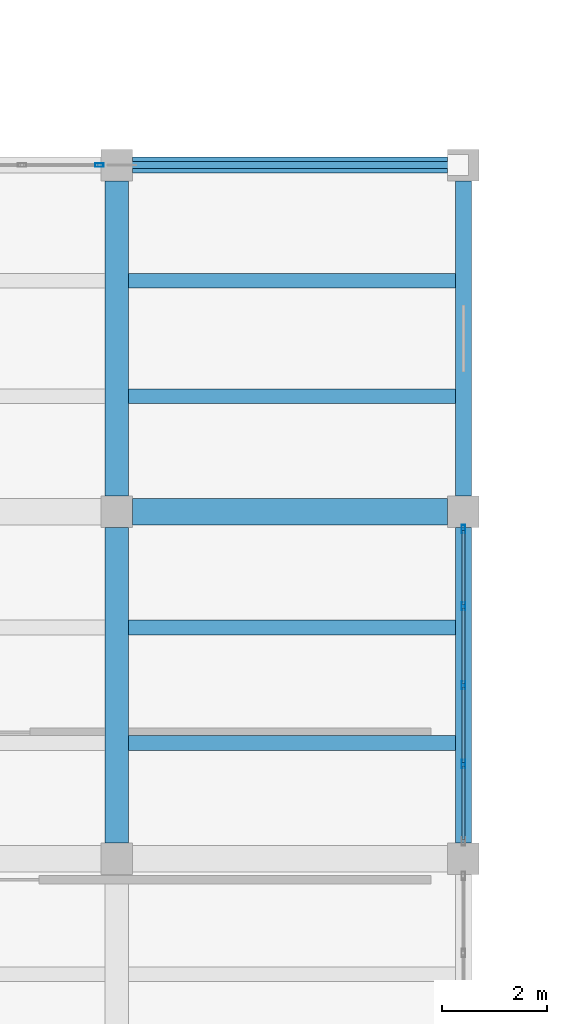
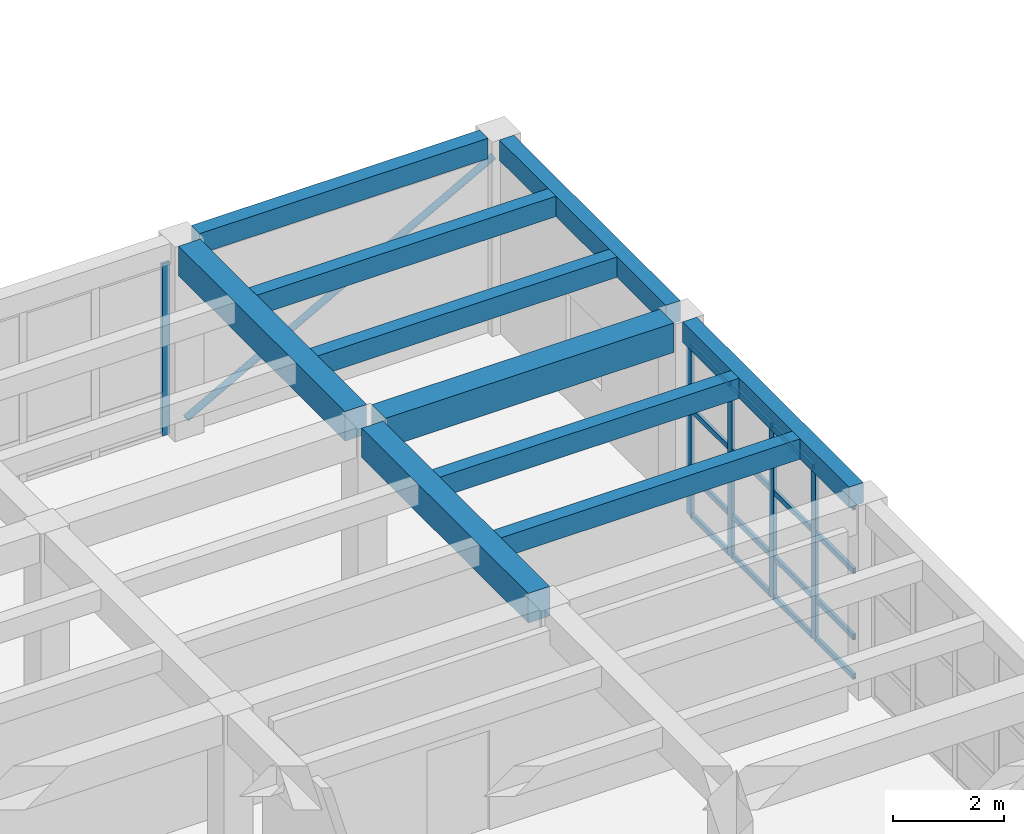
# One storey, part 11 of 67: 22 members, 10 beams, 2 elements without a shape of their own.
"""IFC4 building model written with IfcOpenShell, lengths in metres."""

from ifc_helpers import new_model, si_unit, direction, frame, origin, origin_2d, place, context, subcontext, project, spatial, rectangle, hollow_rectangle, hollow_circle, extrude, material, layer, layer_set, material_profile, profile_set, type_object, element, aggregate, save


model = new_model("IFC4")

# Units and contexts
model_context = context("Model", 3, precision=1e-05, world=origin(), true_north=direction((0.0, 1.0)))
body_context = subcontext(model_context, "Body", "Model", "MODEL_VIEW")
ifc_project = project(units=[si_unit("LENGTHUNIT", "METRE"), si_unit("AREAUNIT", "SQUARE_METRE"), si_unit("VOLUMEUNIT", "CUBIC_METRE"), si_unit("PLANEANGLEUNIT", "RADIAN"), si_unit("MASSUNIT", "GRAM", prefix="KILO")], contexts=[model_context])

# Site, building, storey
site_placement = place(None, origin())
site = spatial("IfcSite", under=ifc_project, at=site_placement, CompositionType="ELEMENT")
building_placement = place(site_placement, origin())
building = spatial("IfcBuilding", under=site, at=building_placement, Name="Kharisveld Research Institute", CompositionType="ELEMENT")
storey_placement = place(building_placement, frame((0.0, 0.0, 9.60009765625)))
storey = spatial("IfcBuildingStorey", under=building, at=storey_placement, Name="L02", CompositionType="ELEMENT", Elevation=9.60009765625)

# Beams
ifc_material_1 = material(Name="Concrete C40/50", Category="concrete")
ifc_material_profile_1 = material_profile(ifc_material_1, rectangle(XDim=0.449951171875, YDim=0.64990234375, at=origin_2d()))
ifc_profile_set_1 = profile_set([ifc_material_profile_1], Name="Concrete C40/50")
beam_type_1 = type_object("IfcBeamType", Name="BM_RC_450x650", PredefinedType="BEAM", material=ifc_profile_set_1)
for number, where, z_axis, x_axis, name in (
    (1, (33.60009765625, 13.699951171875, 3.954833984375), (0.0, 1.0, 0.0), (-1.0, 0.0, 0.0), "BM:V3:L02:V5_2"),
    (2, (33.60009765625, 20.300048828125, 3.954833984375), (0.0, 1.0, 0.0), (-1.0, 0.0, 0.0), "BM:V3:L02:V5_3"),
):
    element("IfcBeam", number, at=place(storey_placement, frame(where, z_axis=z_axis, x_axis=x_axis)), inside=storey, type_object=beam_type_1, Name=name, PredefinedType="BEAM", context=body_context, shape_type="SweptSolid", body=[
        extrude(rectangle(XDim=0.449951171875, YDim=0.64990234375, at=origin_2d()), origin(), (0.0, 0.0, 1.0), 6.0),
    ])
ifc_material_2 = material(Name="Concrete C40/50", Category="concrete")
ifc_material_profile_2 = material_profile(ifc_material_2, rectangle(XDim=0.5, YDim=0.64990234375, at=origin_2d()))
ifc_profile_set_2 = profile_set([ifc_material_profile_2], Name="Concrete C40/50")
beam_type_2 = type_object("IfcBeamType", Name="BM_RC_500x650", PredefinedType="BEAM", material=ifc_profile_set_2)
beam_placement = place(storey_placement, frame((33.89990234375, 20.0, 3.954833984375), z_axis=(1.0, 0.0, 0.0), x_axis=(0.0, 1.0, 0.0)))
element("IfcBeam", 3, at=beam_placement, inside=storey, type_object=beam_type_2, Name="BM:V3:L02:U5_3", PredefinedType="BEAM", context=body_context, shape_type="SweptSolid", body=[
    extrude(rectangle(XDim=0.5, YDim=0.64990234375, at=origin_2d()), origin(), (0.0, 0.0, 1.0), 6.0),
])

# Member
ifc_material_3 = material(Name="Steel S355J2H", Category="steel")
ifc_material_profile_3 = material_profile(ifc_material_3, hollow_circle(Radius=0.06982421875, WallThickness=0.00634765625, at=origin_2d()))
ifc_profile_set_3 = profile_set([ifc_material_profile_3], Name="Steel S355J2H")
member_type_1 = type_object("IfcMemberType", Name="BR_CHS140", PredefinedType="BRACE", material=ifc_profile_set_3)
member_1_placement = place(storey_placement, frame((33.699951171875, 26.60009765625, 0.199951171875), z_axis=(0.875640522822, 0.0, 0.482963430077), x_axis=(0.0, 1.0, 0.0)))
element("IfcMember", 4, at=member_1_placement, inside=storey, type_object=member_type_1, Name="MEM:V3:L02:BR_5_4", PredefinedType="BRACE", context=body_context, shape_type="SweptSolid", body=[
    extrude(hollow_circle(Radius=0.06982421875, WallThickness=0.00634765625, at=origin_2d()), origin(), (0.0, 0.0, 1.0), 7.30908203125),
])

# Curtain wall, member
ifc_material_4 = material(Name="Thermally Broken Aluminium Curtain Wall", Category="aluminium")
ifc_layer_1 = layer(ifc_material_4, 0.159912109375)
ifc_layer_set_1 = layer_set([ifc_layer_1], Name="CW_SYS_02")
curtain_wall_type_1 = type_object("IfcCurtainWallType", Name="CW_SYS_02", PredefinedType="NOTDEFINED", material=ifc_layer_set_1)
curtain_wall_1_placement = place(storey_placement, origin())
curtain_wall_1 = element("IfcCurtainWall", 5, at=curtain_wall_1_placement, inside=storey, type_object=curtain_wall_type_1, Name="CW:V3:L02:N4", PredefinedType="NOTDEFINED")
ifc_material_5 = material(Name="Anodised Aluminium AW-6063-T6", Category="aluminium")
ifc_material_profile_4 = material_profile(ifc_material_5, hollow_rectangle(XDim=0.06494140625, YDim=0.159912109375, WallThickness=0.00390625, at=origin_2d()))
ifc_profile_set_4 = profile_set([ifc_material_profile_4], Name="Anodised Aluminium AW-6063-T6")
member_type_2 = type_object("IfcMemberType", Name="CW_MUL_160", PredefinedType="MULLION", material=ifc_profile_set_4)
member_2_placement = place(storey_placement, frame((33.2724609375, 26.60009765625, 0.0), z_axis=(0.0, 0.0, 1.0), x_axis=(0.0, 1.0, 0.0)))
member_2 = element("IfcMember", 6, at=member_2_placement, type_object=member_type_2, Name="CW-02 mullion 5", PredefinedType="MULLION", context=body_context, shape_type="SweptSolid", body=[
    extrude(hollow_rectangle(XDim=0.06494140625, YDim=0.159912109375, WallThickness=0.00390625, at=origin_2d()), origin(), (0.0, 0.0, 1.0), 3.77978515625),
])
aggregate(curtain_wall_1, [member_2])

# Curtain wall, members
ifc_material_6 = material(Name="Thermally Broken Aluminium Curtain Wall", Category="aluminium")
ifc_layer_2 = layer(ifc_material_6, 0.159912109375)
ifc_layer_set_2 = layer_set([ifc_layer_2], Name="CW_SYS_03")
curtain_wall_type_2 = type_object("IfcCurtainWallType", Name="CW_SYS_03", PredefinedType="NOTDEFINED", material=ifc_layer_set_2)
curtain_wall_2_placement = place(storey_placement, origin())
curtain_wall_2 = element("IfcCurtainWall", 7, at=curtain_wall_2_placement, inside=storey, type_object=curtain_wall_type_2, Name="CW:V3:L02:E3", PredefinedType="NOTDEFINED")
member_3_placement = place(storey_placement, frame((40.199951171875, 19.672607421875, 0.0), z_axis=(0.0, 0.0, 1.0), x_axis=(1.0, 0.0, 0.0)))
member_3 = element("IfcMember", 8, at=member_3_placement, type_object=member_type_2, Name="CW-03 mullion 1", PredefinedType="MULLION", context=body_context, shape_type="SweptSolid", body=[
    extrude(hollow_rectangle(XDim=0.06494140625, YDim=0.159912109375, WallThickness=0.00390625, at=origin_2d()), origin(), (0.0, 0.0, 1.0), 3.77978515625),
])
member_4_placement = place(storey_placement, frame((40.199951171875, 18.202392578125, 0.0), z_axis=(0.0, 0.0, 1.0), x_axis=(1.0, 0.0, 0.0)))
member_4 = element("IfcMember", 9, at=member_4_placement, type_object=member_type_2, Name="CW-03 mullion 2", PredefinedType="MULLION", context=body_context, shape_type="SweptSolid", body=[
    extrude(hollow_rectangle(XDim=0.06494140625, YDim=0.159912109375, WallThickness=0.00390625, at=origin_2d()), origin(), (0.0, 0.0, 1.0), 3.77978515625),
])
member_5_placement = place(storey_placement, frame((40.199951171875, 16.699951171875, 0.0), z_axis=(0.0, 0.0, 1.0), x_axis=(1.0, 0.0, 0.0)))
member_5 = element("IfcMember", 10, at=member_5_placement, type_object=member_type_2, Name="CW-03 mullion 3", PredefinedType="MULLION", context=body_context, shape_type="SweptSolid", body=[
    extrude(hollow_rectangle(XDim=0.06494140625, YDim=0.159912109375, WallThickness=0.00390625, at=origin_2d()), origin(), (0.0, 0.0, 1.0), 3.77978515625),
])
member_6_placement = place(storey_placement, frame((40.199951171875, 15.197509765625, 0.0), z_axis=(0.0, 0.0, 1.0), x_axis=(1.0, 0.0, 0.0)))
member_6 = element("IfcMember", 11, at=member_6_placement, type_object=member_type_2, Name="CW-03 mullion 4", PredefinedType="MULLION", context=body_context, shape_type="SweptSolid", body=[
    extrude(hollow_rectangle(XDim=0.06494140625, YDim=0.159912109375, WallThickness=0.00390625, at=origin_2d()), origin(), (0.0, 0.0, 1.0), 3.77978515625),
])
ifc_material_7 = material(Name="Anodised Aluminium AW-6063-T6", Category="aluminium")
ifc_material_profile_5 = material_profile(ifc_material_7, hollow_rectangle(XDim=0.06005859375, YDim=0.1201171875, WallThickness=0.00390625, at=origin_2d()))
ifc_profile_set_5 = profile_set([ifc_material_profile_5], Name="Anodised Aluminium AW-6063-T6")
member_type_3 = type_object("IfcMemberType", Name="CW_TRN_120", PredefinedType="USERDEFINED", material=ifc_profile_set_5)
member_7_placement = place(storey_placement, frame((40.199951171875, 19.639892578125, 0.02978515625), z_axis=(0.0, -1.0, 0.0), x_axis=(1.0, 0.0, 0.0)))
member_7 = element("IfcMember", 12, at=member_7_placement, type_object=member_type_3, Name="CW-03 transom 1.1", ObjectType="TRANSOM", PredefinedType="USERDEFINED", context=body_context, shape_type="SweptSolid", body=[
    extrude(hollow_rectangle(XDim=0.06005859375, YDim=0.1201171875, WallThickness=0.00390625, at=origin_2d()), origin(), (0.0, 0.0, 1.0), 1.40478515625),
])
member_8_placement = place(storey_placement, frame((40.199951171875, 19.639892578125, 0.89990234375), z_axis=(0.0, -1.0, 0.0), x_axis=(1.0, 0.0, 0.0)))
member_8 = element("IfcMember", 13, at=member_8_placement, type_object=member_type_3, Name="CW-03 transom 1.2", ObjectType="TRANSOM", PredefinedType="USERDEFINED", context=body_context, shape_type="SweptSolid", body=[
    extrude(hollow_rectangle(XDim=0.06005859375, YDim=0.1201171875, WallThickness=0.00390625, at=origin_2d()), origin(), (0.0, 0.0, 1.0), 1.40478515625),
])
member_9_placement = place(storey_placement, frame((40.199951171875, 19.639892578125, 2.349853515625), z_axis=(0.0, -1.0, 0.0), x_axis=(1.0, 0.0, 0.0)))
member_9 = element("IfcMember", 14, at=member_9_placement, type_object=member_type_3, Name="CW-03 transom 1.3", ObjectType="TRANSOM", PredefinedType="USERDEFINED", context=body_context, shape_type="SweptSolid", body=[
    extrude(hollow_rectangle(XDim=0.06005859375, YDim=0.1201171875, WallThickness=0.00390625, at=origin_2d()), origin(), (0.0, 0.0, 1.0), 1.40478515625),
])
member_10_placement = place(storey_placement, frame((40.199951171875, 19.639892578125, 3.75), z_axis=(0.0, -1.0, 0.0), x_axis=(1.0, 0.0, 0.0)))
member_10 = element("IfcMember", 15, at=member_10_placement, type_object=member_type_3, Name="CW-03 transom 1.4", ObjectType="TRANSOM", PredefinedType="USERDEFINED", context=body_context, shape_type="SweptSolid", body=[
    extrude(hollow_rectangle(XDim=0.06005859375, YDim=0.1201171875, WallThickness=0.00390625, at=origin_2d()), origin(), (0.0, 0.0, 1.0), 1.40478515625),
])
member_11_placement = place(storey_placement, frame((40.199951171875, 18.169921875, 0.02978515625), z_axis=(0.0, -1.0, 0.0), x_axis=(1.0, 0.0, 0.0)))
member_11 = element("IfcMember", 16, at=member_11_placement, type_object=member_type_3, Name="CW-03 transom 2.1", ObjectType="TRANSOM", PredefinedType="USERDEFINED", context=body_context, shape_type="SweptSolid", body=[
    extrude(hollow_rectangle(XDim=0.06005859375, YDim=0.1201171875, WallThickness=0.00390625, at=origin_2d()), origin(), (0.0, 0.0, 1.0), 1.4375),
])
member_12_placement = place(storey_placement, frame((40.199951171875, 18.169921875, 0.89990234375), z_axis=(0.0, -1.0, 0.0), x_axis=(1.0, 0.0, 0.0)))
member_12 = element("IfcMember", 17, at=member_12_placement, type_object=member_type_3, Name="CW-03 transom 2.2", ObjectType="TRANSOM", PredefinedType="USERDEFINED", context=body_context, shape_type="SweptSolid", body=[
    extrude(hollow_rectangle(XDim=0.06005859375, YDim=0.1201171875, WallThickness=0.00390625, at=origin_2d()), origin(), (0.0, 0.0, 1.0), 1.4375),
])
member_13_placement = place(storey_placement, frame((40.199951171875, 18.169921875, 2.349853515625), z_axis=(0.0, -1.0, 0.0), x_axis=(1.0, 0.0, 0.0)))
member_13 = element("IfcMember", 18, at=member_13_placement, type_object=member_type_3, Name="CW-03 transom 2.3", ObjectType="TRANSOM", PredefinedType="USERDEFINED", context=body_context, shape_type="SweptSolid", body=[
    extrude(hollow_rectangle(XDim=0.06005859375, YDim=0.1201171875, WallThickness=0.00390625, at=origin_2d()), origin(), (0.0, 0.0, 1.0), 1.4375),
])
member_14_placement = place(storey_placement, frame((40.199951171875, 18.169921875, 3.75), z_axis=(0.0, -1.0, 0.0), x_axis=(1.0, 0.0, 0.0)))
member_14 = element("IfcMember", 19, at=member_14_placement, type_object=member_type_3, Name="CW-03 transom 2.4", ObjectType="TRANSOM", PredefinedType="USERDEFINED", context=body_context, shape_type="SweptSolid", body=[
    extrude(hollow_rectangle(XDim=0.06005859375, YDim=0.1201171875, WallThickness=0.00390625, at=origin_2d()), origin(), (0.0, 0.0, 1.0), 1.4375),
])
member_15_placement = place(storey_placement, frame((40.199951171875, 16.66748046875, 0.02978515625), z_axis=(0.0, -1.0, 0.0), x_axis=(1.0, 0.0, 0.0)))
member_15 = element("IfcMember", 20, at=member_15_placement, type_object=member_type_3, Name="CW-03 transom 3.1", ObjectType="TRANSOM", PredefinedType="USERDEFINED", context=body_context, shape_type="SweptSolid", body=[
    extrude(hollow_rectangle(XDim=0.06005859375, YDim=0.1201171875, WallThickness=0.00390625, at=origin_2d()), origin(), (0.0, 0.0, 1.0), 1.4375),
])
member_16_placement = place(storey_placement, frame((40.199951171875, 16.66748046875, 0.89990234375), z_axis=(0.0, -1.0, 0.0), x_axis=(1.0, 0.0, 0.0)))
member_16 = element("IfcMember", 21, at=member_16_placement, type_object=member_type_3, Name="CW-03 transom 3.2", ObjectType="TRANSOM", PredefinedType="USERDEFINED", context=body_context, shape_type="SweptSolid", body=[
    extrude(hollow_rectangle(XDim=0.06005859375, YDim=0.1201171875, WallThickness=0.00390625, at=origin_2d()), origin(), (0.0, 0.0, 1.0), 1.4375),
])
member_17_placement = place(storey_placement, frame((40.199951171875, 16.66748046875, 2.349853515625), z_axis=(0.0, -1.0, 0.0), x_axis=(1.0, 0.0, 0.0)))
member_17 = element("IfcMember", 22, at=member_17_placement, type_object=member_type_3, Name="CW-03 transom 3.3", ObjectType="TRANSOM", PredefinedType="USERDEFINED", context=body_context, shape_type="SweptSolid", body=[
    extrude(hollow_rectangle(XDim=0.06005859375, YDim=0.1201171875, WallThickness=0.00390625, at=origin_2d()), origin(), (0.0, 0.0, 1.0), 1.4375),
])
member_18_placement = place(storey_placement, frame((40.199951171875, 16.66748046875, 3.75), z_axis=(0.0, -1.0, 0.0), x_axis=(1.0, 0.0, 0.0)))
member_18 = element("IfcMember", 23, at=member_18_placement, type_object=member_type_3, Name="CW-03 transom 3.4", ObjectType="TRANSOM", PredefinedType="USERDEFINED", context=body_context, shape_type="SweptSolid", body=[
    extrude(hollow_rectangle(XDim=0.06005859375, YDim=0.1201171875, WallThickness=0.00390625, at=origin_2d()), origin(), (0.0, 0.0, 1.0), 1.4375),
])
member_19_placement = place(storey_placement, frame((40.199951171875, 15.1650390625, 0.02978515625), z_axis=(0.0, -1.0, 0.0), x_axis=(1.0, 0.0, 0.0)))
member_19 = element("IfcMember", 24, at=member_19_placement, type_object=member_type_3, Name="CW-03 transom 4.1", ObjectType="TRANSOM", PredefinedType="USERDEFINED", context=body_context, shape_type="SweptSolid", body=[
    extrude(hollow_rectangle(XDim=0.06005859375, YDim=0.1201171875, WallThickness=0.00390625, at=origin_2d()), origin(), (0.0, 0.0, 1.0), 1.405029296875),
])
member_20_placement = place(storey_placement, frame((40.199951171875, 15.1650390625, 0.89990234375), z_axis=(0.0, -1.0, 0.0), x_axis=(1.0, 0.0, 0.0)))
member_20 = element("IfcMember", 25, at=member_20_placement, type_object=member_type_3, Name="CW-03 transom 4.2", ObjectType="TRANSOM", PredefinedType="USERDEFINED", context=body_context, shape_type="SweptSolid", body=[
    extrude(hollow_rectangle(XDim=0.06005859375, YDim=0.1201171875, WallThickness=0.00390625, at=origin_2d()), origin(), (0.0, 0.0, 1.0), 1.405029296875),
])
member_21_placement = place(storey_placement, frame((40.199951171875, 15.1650390625, 2.349853515625), z_axis=(0.0, -1.0, 0.0), x_axis=(1.0, 0.0, 0.0)))
member_21 = element("IfcMember", 26, at=member_21_placement, type_object=member_type_3, Name="CW-03 transom 4.3", ObjectType="TRANSOM", PredefinedType="USERDEFINED", context=body_context, shape_type="SweptSolid", body=[
    extrude(hollow_rectangle(XDim=0.06005859375, YDim=0.1201171875, WallThickness=0.00390625, at=origin_2d()), origin(), (0.0, 0.0, 1.0), 1.405029296875),
])
member_22_placement = place(storey_placement, frame((40.199951171875, 15.1650390625, 3.75), z_axis=(0.0, -1.0, 0.0), x_axis=(1.0, 0.0, 0.0)))
member_22 = element("IfcMember", 27, at=member_22_placement, type_object=member_type_3, Name="CW-03 transom 4.4", ObjectType="TRANSOM", PredefinedType="USERDEFINED", context=body_context, shape_type="SweptSolid", body=[
    extrude(hollow_rectangle(XDim=0.06005859375, YDim=0.1201171875, WallThickness=0.00390625, at=origin_2d()), origin(), (0.0, 0.0, 1.0), 1.405029296875),
])
aggregate(curtain_wall_2, [member_3, member_4, member_5, member_6, member_7, member_8, member_9, member_10, member_11, member_12, member_13, member_14, member_15, member_16, member_17, member_18, member_19, member_20, member_21, member_22])

# Beams
ifc_material_8 = material(Name="Concrete C40/50", Category="concrete")
ifc_material_profile_6 = material_profile(ifc_material_8, rectangle(XDim=0.300048828125, YDim=0.449951171875, at=origin_2d()))
ifc_profile_set_6 = profile_set([ifc_material_profile_6], Name="Concrete C40/50")
beam_type_3 = type_object("IfcBeamType", Name="SP_RC_300x450", PredefinedType="SPANDREL", material=ifc_profile_set_6)
for number, where, z_axis, x_axis, name in (
    (28, (33.89990234375, 26.60009765625, 4.054931640625), (1.0, 0.0, 0.0), (0.0, 1.0, 0.0), "BM:V3:L02:U5_4"),
    (29, (40.199951171875, 13.699951171875, 4.054931640625), (0.0, 1.0, 0.0), (-1.0, 0.0, 0.0), "BM:V3:L02:V6_2"),
    (30, (40.199951171875, 20.300048828125, 4.054931640625), (0.0, 1.0, 0.0), (-1.0, 0.0, 0.0), "BM:V3:L02:V6_3"),
):
    element("IfcBeam", number, at=place(storey_placement, frame(where, z_axis=z_axis, x_axis=x_axis)), inside=storey, type_object=beam_type_3, Name=name, PredefinedType="SPANDREL", context=body_context, shape_type="SweptSolid", body=[
        extrude(rectangle(XDim=0.300048828125, YDim=0.449951171875, at=origin_2d()), origin(), (0.0, 0.0, 1.0), 6.0),
    ])
ifc_material_9 = material(Name="Concrete C40/50", Category="concrete")
ifc_material_profile_7 = material_profile(ifc_material_9, rectangle(XDim=0.280029296875, YDim=0.449951171875, at=origin_2d()))
ifc_profile_set_7 = profile_set([ifc_material_profile_7], Name="Concrete C40/50")
beam_type_4 = type_object("IfcBeamType", Name="WB_RC_280x450", PredefinedType="JOIST", material=ifc_profile_set_7)
for number, where, z_axis, x_axis, name in (
    (31, (33.824951171875, 15.60009765625, 4.054931640625), (1.0, 0.0, 0.0), (0.0, 1.0, 0.0), "BM:V3:L02:J_5_2_R1"),
    (32, (33.824951171875, 17.800048828125, 4.054931640625), (1.0, 0.0, 0.0), (0.0, 1.0, 0.0), "BM:V3:L02:J_5_2_R2"),
    (33, (33.824951171875, 22.199951171875, 4.054931640625), (1.0, 0.0, 0.0), (0.0, 1.0, 0.0), "BM:V3:L02:J_5_3_R1"),
    (34, (33.824951171875, 24.39990234375, 4.054931640625), (1.0, 0.0, 0.0), (0.0, 1.0, 0.0), "BM:V3:L02:J_5_3_R2"),
):
    element("IfcBeam", number, at=place(storey_placement, frame(where, z_axis=z_axis, x_axis=x_axis)), inside=storey, type_object=beam_type_4, Name=name, PredefinedType="JOIST", context=body_context, shape_type="SweptSolid", body=[
        extrude(rectangle(XDim=0.280029296875, YDim=0.449951171875, at=origin_2d()), origin(), (0.0, 0.0, 1.0), 6.22509765625),
    ])

save(model, "model.ifc")
